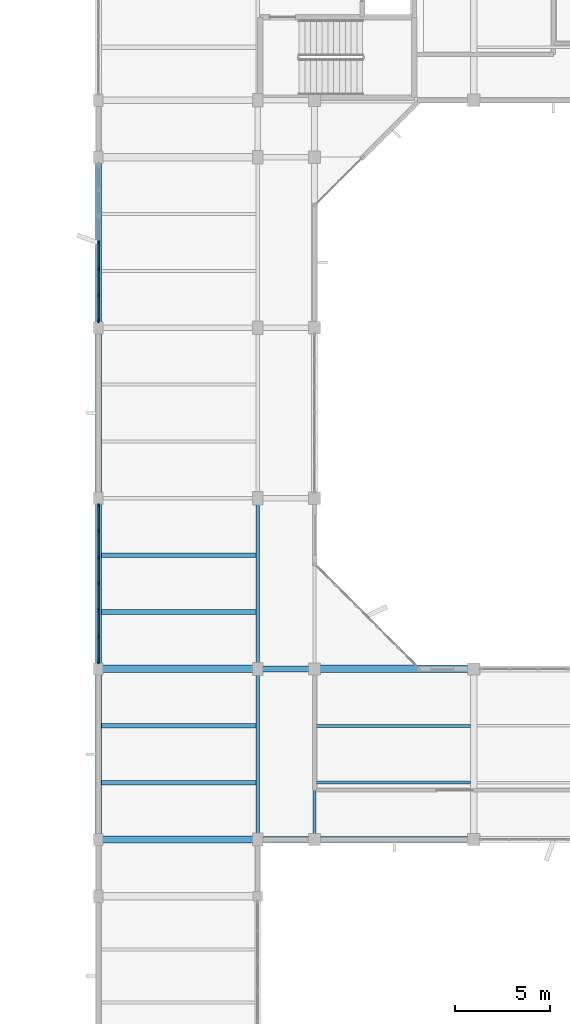
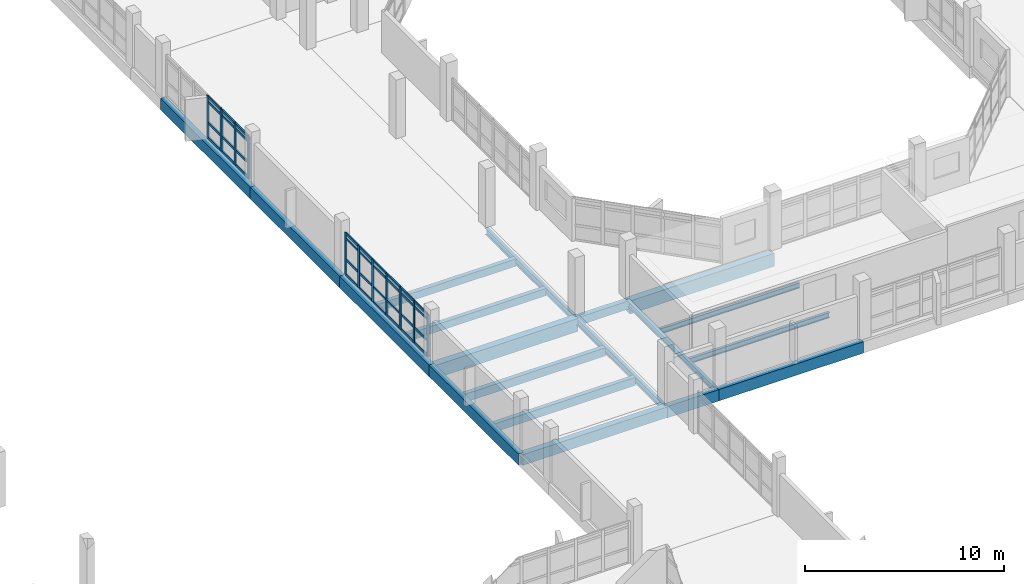
# One storey, part 11 of 104: 47 members, 19 beams, 2 elements without a shape of their own.
"""IFC4 building model written with IfcOpenShell, lengths in metres."""

from ifc_helpers import new_model, si_unit, direction, frame, origin, origin_2d, place, context, subcontext, project, spatial, rectangle, i_section, extrude, material, material_profile, profile_set, type_object, element, aggregate, save


model = new_model("IFC4")

# Units and contexts
model_context = context("Model", 3, precision=1e-05, world=origin(), true_north=direction((0.0, 1.0)))
body_context = subcontext(model_context, "Body", "Model", "MODEL_VIEW")
ifc_project = project(units=[si_unit("LENGTHUNIT", "METRE"), si_unit("AREAUNIT", "SQUARE_METRE"), si_unit("VOLUMEUNIT", "CUBIC_METRE"), si_unit("PLANEANGLEUNIT", "RADIAN"), si_unit("MASSUNIT", "GRAM", prefix="KILO")], contexts=[model_context])

# Site, building, storey
site_placement = place(None, origin())
site = spatial("IfcSite", under=ifc_project, at=site_placement, CompositionType="ELEMENT")
building_placement = place(site_placement, origin())
building = spatial("IfcBuilding", under=site, at=building_placement, Name="Vanh Quang Courtyard School", CompositionType="ELEMENT")
storey_placement = place(building_placement, frame((0.0, 0.0, 4.199951171875)))
storey = spatial("IfcBuildingStorey", under=building, at=storey_placement, Name="L01", CompositionType="ELEMENT", Elevation=4.199951171875)

# Beams
ifc_material_1 = material(Name="Concrete C35/45", Category="concrete")
ifc_material_profile_1 = material_profile(ifc_material_1, rectangle(XDim=0.300048828125, YDim=0.5, at=origin_2d()), Name="RC-BM 300x500")
ifc_profile_set_1 = profile_set([ifc_material_profile_1], Name="Concrete C35/45")
beam_type_1 = type_object("IfcBeamType", Name="BM-RC-300x500", PredefinedType="BEAM", material=ifc_profile_set_1)
beam_1_placement = place(storey_placement, frame((37.800048828125, 41.39990234375, -0.530029296875), z_axis=(1.0, 0.0, 0.0), x_axis=(0.0, 1.0, 0.0)))
element("IfcBeam", 1, at=beam_1_placement, inside=storey, type_object=beam_type_1, Name="Beam B-08 (L01)", PredefinedType="BEAM", context=body_context, shape_type="SweptSolid", body=[
    extrude(rectangle(XDim=0.300048828125, YDim=0.5, at=origin_2d()), origin(), (0.0, 0.0, 1.0), 3.0),
])
ifc_material_profile_2 = material_profile(ifc_material_1, rectangle(XDim=0.35009765625, YDim=0.64990234375, at=origin_2d()), Name="RC-BM 350x650")
ifc_profile_set_2 = profile_set([ifc_material_profile_2], Name="Concrete C35/45")
beam_type_2 = type_object("IfcBeamType", Name="BM-RC-350x650", PredefinedType="BEAM", material=ifc_profile_set_2)
beam_2_placement = place(storey_placement, frame((29.39990234375, 32.39990234375, -0.60498046875), z_axis=(1.0, 0.0, 0.0), x_axis=(0.0, 1.0, 0.0)))
element("IfcBeam", 2, at=beam_2_placement, inside=storey, type_object=beam_type_2, Name="Beam B-05 (L01)", PredefinedType="BEAM", context=body_context, shape_type="SweptSolid", body=[
    extrude(rectangle(XDim=0.35009765625, YDim=0.64990234375, at=origin_2d()), origin(), (0.0, 0.0, 1.0), 8.400146484375),
])
ifc_material_profile_3 = material_profile(ifc_material_1, rectangle(XDim=0.39990234375, YDim=0.800048828125, at=origin_2d()), Name="RC-BM 400x800")
ifc_profile_set_3 = profile_set([ifc_material_profile_3], Name="Concrete C35/45")
beam_type_3 = type_object("IfcBeamType", Name="BM-RC-400x800", PredefinedType="BEAM", material=ifc_profile_set_3)
beam_3_placement = place(storey_placement, frame((29.39990234375, 41.39990234375, -0.679931640625), z_axis=(1.0, 0.0, 0.0), x_axis=(0.0, 1.0, 0.0)))
element("IfcBeam", 3, at=beam_3_placement, inside=storey, type_object=beam_type_3, Name="Beam B-02 (L01)", PredefinedType="BEAM", context=body_context, shape_type="SweptSolid", body=[
    extrude(rectangle(XDim=0.39990234375, YDim=0.800048828125, at=origin_2d()), origin(), (0.0, 0.0, 1.0), 8.400146484375),
])
beam_4_placement = place(storey_placement, frame((40.800048828125, 41.39990234375, -0.679931640625), z_axis=(1.0, 0.0, 0.0), x_axis=(0.0, 1.0, 0.0)))
element("IfcBeam", 4, at=beam_4_placement, inside=storey, type_object=beam_type_3, Name="Beam B-02 (L01)", PredefinedType="BEAM", context=body_context, shape_type="SweptSolid", body=[
    extrude(rectangle(XDim=0.39990234375, YDim=0.800048828125, at=origin_2d()), origin(), (0.0, 0.0, 1.0), 8.39990234375),
])
ifc_material_profile_4 = material_profile(ifc_material_1, rectangle(XDim=0.300048828125, YDim=0.699951171875, at=origin_2d()), Name="RC-SP 300x700")
ifc_profile_set_4 = profile_set([ifc_material_profile_4], Name="Concrete C35/45")
beam_type_4 = type_object("IfcBeamType", Name="BM-SP-300x700", PredefinedType="SPANDREL", material=ifc_profile_set_4)
beam_5_placement = place(storey_placement, frame((37.800048828125, 32.39990234375, -0.6298828125), z_axis=(1.0, 0.0, 0.0), x_axis=(0.0, 1.0, 0.0)))
element("IfcBeam", 5, at=beam_5_placement, inside=storey, type_object=beam_type_4, Name="Beam BS-01 (L01)", PredefinedType="SPANDREL", context=body_context, shape_type="SweptSolid", body=[
    extrude(rectangle(XDim=0.300048828125, YDim=0.699951171875, at=origin_2d()), origin(), (0.0, 0.0, 1.0), 3.0),
])
beam_6_placement = place(storey_placement, frame((40.800048828125, 32.39990234375, -0.6298828125), z_axis=(1.0, 0.0, 0.0), x_axis=(0.0, 1.0, 0.0)))
element("IfcBeam", 6, at=beam_6_placement, inside=storey, type_object=beam_type_4, Name="Beam BS-01 (L01)", PredefinedType="SPANDREL", context=body_context, shape_type="SweptSolid", body=[
    extrude(rectangle(XDim=0.300048828125, YDim=0.699951171875, at=origin_2d()), origin(), (0.0, 0.0, 1.0), 8.39990234375),
])
for number, where, z_axis, x_axis, name in (
    (7, (29.39990234375, 32.39990234375, -0.6298828125), (0.0, 1.0, 0.0), (-1.0, 0.0, 0.0), "Beam BS-01 (L01)"),
    (8, (29.39990234375, 41.39990234375, -0.6298828125), (0.0, 1.0, 0.0), (-1.0, 0.0, 0.0), "Beam BS-01 (L01)"),
    (9, (29.39990234375, 50.39990234375, -0.6298828125), (0.0, 1.0, 0.0), (-1.0, 0.0, 0.0), "Beam BS-01 (L01)"),
    (10, (29.39990234375, 59.39990234375, -0.6298828125), (0.0, 1.0, 0.0), (-1.0, 0.0, 0.0), "Beam BS-01 (L01)"),
):
    element("IfcBeam", number, at=place(storey_placement, frame(where, z_axis=z_axis, x_axis=x_axis)), inside=storey, type_object=beam_type_4, Name=name, PredefinedType="SPANDREL", context=body_context, shape_type="SweptSolid", body=[
        extrude(rectangle(XDim=0.300048828125, YDim=0.699951171875, at=origin_2d()), origin(), (0.0, 0.0, 1.0), 9.0),
    ])
ifc_material_2 = material(Name="Structural steel EN 10025-2 S355J2", Category="steel")
ifc_material_profile_5 = material_profile(ifc_material_2, i_section(OverallWidth=0.169921875, OverallDepth=0.360107421875, WebThickness=0.008056640625, FlangeThickness=0.0126953125, FilletRadius=0.01806640625, at=origin_2d()), Name="IPE 360")
ifc_profile_set_5 = profile_set([ifc_material_profile_5], Name="Structural steel EN 10025-2 S355J2")
beam_type_5 = type_object("IfcBeamType", Name="BM-STL-IPE360", PredefinedType="BEAM", material=ifc_profile_set_5)
beam_7_placement = place(storey_placement, frame((40.800048828125, 32.39990234375, -0.4599609375), z_axis=(0.0, 1.0, 0.0), x_axis=(-1.0, 0.0, 0.0)))
element("IfcBeam", 11, at=beam_7_placement, inside=storey, type_object=beam_type_5, Name="Beam SB-06 (L01)", PredefinedType="BEAM", context=body_context, shape_type="SweptSolid", body=[
    extrude(i_section(OverallWidth=0.169921875, OverallDepth=0.360107421875, WebThickness=0.008056640625, FlangeThickness=0.0126953125, FilletRadius=0.01806640625, at=origin_2d()), origin(), (0.0, 0.0, 1.0), 9.0),
])
ifc_material_profile_6 = material_profile(ifc_material_2, i_section(OverallWidth=0.179931640625, OverallDepth=0.39990234375, WebThickness=0.008544921875, FlangeThickness=0.013427734375, FilletRadius=0.02099609375, at=origin_2d()), Name="IPE 400")
ifc_profile_set_6 = profile_set([ifc_material_profile_6], Name="Structural steel EN 10025-2 S355J2")
beam_type_6 = type_object("IfcBeamType", Name="BM-STL-IPE400", PredefinedType="BEAM", material=ifc_profile_set_6)
for number, where, z_axis, x_axis, name in (
    (12, (37.800048828125, 32.39990234375, -0.47998046875), (0.0, 1.0, 0.0), (-1.0, 0.0, 0.0), "Beam SB-05 (L01)"),
    (13, (37.800048828125, 41.39990234375, -0.47998046875), (0.0, 1.0, 0.0), (-1.0, 0.0, 0.0), "Beam SB-05 (L01)"),
):
    element("IfcBeam", number, at=place(storey_placement, frame(where, z_axis=z_axis, x_axis=x_axis)), inside=storey, type_object=beam_type_6, Name=name, PredefinedType="BEAM", context=body_context, shape_type="SweptSolid", body=[
        extrude(i_section(OverallWidth=0.179931640625, OverallDepth=0.39990234375, WebThickness=0.008544921875, FlangeThickness=0.013427734375, FilletRadius=0.02099609375, at=origin_2d()), origin(), (0.0, 0.0, 1.0), 9.0),
    ])

# Curtain wall, members
ifc_material_3 = material(Name="Thermally broken aluminium unitised curtain wall", Category="aluminium")
curtain_wall_type = type_object("IfcCurtainWallType", Name="CW-SYS-20", PredefinedType="NOTDEFINED", material=ifc_material_3)
curtain_wall_1_placement = place(storey_placement, origin())
curtain_wall_1 = element("IfcCurtainWall", 14, at=curtain_wall_1_placement, inside=storey, type_object=curtain_wall_type, Name="Curtain Wall CW-20 (L01)", PredefinedType="NOTDEFINED")
ifc_material_4 = material(Name="Anodised aluminium 6063-T6", Category="aluminium")
ifc_material_profile_7 = material_profile(ifc_material_4, rectangle(XDim=0.070068359375, YDim=0.179931640625, at=origin_2d()), Name="ALU-MUL 70x180")
ifc_profile_set_7 = profile_set([ifc_material_profile_7], Name="Anodised aluminium 6063-T6")
member_type_1 = type_object("IfcMemberType", Name="CW-MUL-70x180", PredefinedType="MULLION", material=ifc_profile_set_7)
member_1_placement = place(storey_placement, frame((29.39990234375, 41.76806640625, 0.0), z_axis=(0.0, 0.0, 1.0), x_axis=(-1.0, 0.0, 0.0)))
member_1 = element("IfcMember", 15, at=member_1_placement, type_object=member_type_1, Name="CW-20 mullion 1", PredefinedType="MULLION", context=body_context, shape_type="SweptSolid", body=[
    extrude(rectangle(XDim=0.070068359375, YDim=0.179931640625, at=origin_2d()), origin(), (0.0, 0.0, 1.0), 2.580078125),
])
member_2_placement = place(storey_placement, frame((29.39990234375, 43.1220703125, 0.0), z_axis=(0.0, 0.0, 1.0), x_axis=(-1.0, 0.0, 0.0)))
member_2 = element("IfcMember", 16, at=member_2_placement, type_object=member_type_1, Name="CW-20 mullion 2", PredefinedType="MULLION", context=body_context, shape_type="SweptSolid", body=[
    extrude(rectangle(XDim=0.070068359375, YDim=0.179931640625, at=origin_2d()), origin(), (0.0, 0.0, 1.0), 2.580078125),
])
member_3_placement = place(storey_placement, frame((29.39990234375, 44.510986328125, 0.0), z_axis=(0.0, 0.0, 1.0), x_axis=(-1.0, 0.0, 0.0)))
member_3 = element("IfcMember", 17, at=member_3_placement, type_object=member_type_1, Name="CW-20 mullion 3", PredefinedType="MULLION", context=body_context, shape_type="SweptSolid", body=[
    extrude(rectangle(XDim=0.070068359375, YDim=0.179931640625, at=origin_2d()), origin(), (0.0, 0.0, 1.0), 2.580078125),
])
member_4_placement = place(storey_placement, frame((29.39990234375, 45.89990234375, 0.0), z_axis=(0.0, 0.0, 1.0), x_axis=(-1.0, 0.0, 0.0)))
member_4 = element("IfcMember", 18, at=member_4_placement, type_object=member_type_1, Name="CW-20 mullion 4", PredefinedType="MULLION", context=body_context, shape_type="SweptSolid", body=[
    extrude(rectangle(XDim=0.070068359375, YDim=0.179931640625, at=origin_2d()), origin(), (0.0, 0.0, 1.0), 2.580078125),
])
member_5_placement = place(storey_placement, frame((29.39990234375, 47.2890625, 0.0), z_axis=(0.0, 0.0, 1.0), x_axis=(-1.0, 0.0, 0.0)))
member_5 = element("IfcMember", 19, at=member_5_placement, type_object=member_type_1, Name="CW-20 mullion 5", PredefinedType="MULLION", context=body_context, shape_type="SweptSolid", body=[
    extrude(rectangle(XDim=0.070068359375, YDim=0.179931640625, at=origin_2d()), origin(), (0.0, 0.0, 1.0), 2.580078125),
])
member_6_placement = place(storey_placement, frame((29.39990234375, 48.677978515625, 0.0), z_axis=(0.0, 0.0, 1.0), x_axis=(-1.0, 0.0, 0.0)))
member_6 = element("IfcMember", 20, at=member_6_placement, type_object=member_type_1, Name="CW-20 mullion 6", PredefinedType="MULLION", context=body_context, shape_type="SweptSolid", body=[
    extrude(rectangle(XDim=0.070068359375, YDim=0.179931640625, at=origin_2d()), origin(), (0.0, 0.0, 1.0), 2.580078125),
])
member_7_placement = place(storey_placement, frame((29.39990234375, 50.031982421875, 0.0), z_axis=(0.0, 0.0, 1.0), x_axis=(-1.0, 0.0, 0.0)))
member_7 = element("IfcMember", 21, at=member_7_placement, type_object=member_type_1, Name="CW-20 mullion 7", PredefinedType="MULLION", context=body_context, shape_type="SweptSolid", body=[
    extrude(rectangle(XDim=0.070068359375, YDim=0.179931640625, at=origin_2d()), origin(), (0.0, 0.0, 1.0), 2.580078125),
])

curtain_wall_2_placement = place(storey_placement, origin())
curtain_wall_2 = element("IfcCurtainWall", 22, at=curtain_wall_2_placement, inside=storey, type_object=curtain_wall_type, Name="Curtain Wall CW-20 (L01)", PredefinedType="NOTDEFINED")
ifc_material_profile_8 = material_profile(ifc_material_4, rectangle(XDim=0.080078125, YDim=0.199951171875, at=origin_2d()), Name="ALU-MUL 80x200")
ifc_profile_set_8 = profile_set([ifc_material_profile_8], Name="Anodised aluminium 6063-T6")
member_type_2 = type_object("IfcMemberType", Name="CW-MUL-80x200", PredefinedType="MULLION", material=ifc_profile_set_8)
member_8_placement = place(storey_placement, frame((29.39990234375, 59.77294921875, 0.0), z_axis=(0.0, 0.0, 1.0), x_axis=(-1.0, 0.0, 0.0)))
member_8 = element("IfcMember", 23, at=member_8_placement, type_object=member_type_2, Name="CW-20 mullion 1", PredefinedType="MULLION", context=body_context, shape_type="SweptSolid", body=[
    extrude(rectangle(XDim=0.080078125, YDim=0.199951171875, at=origin_2d()), origin(), (0.0, 0.0, 1.0), 2.580078125),
])
member_9_placement = place(storey_placement, frame((29.39990234375, 61.1220703125, 0.0), z_axis=(0.0, 0.0, 1.0), x_axis=(-1.0, 0.0, 0.0)))
member_9 = element("IfcMember", 24, at=member_9_placement, type_object=member_type_2, Name="CW-20 mullion 2", PredefinedType="MULLION", context=body_context, shape_type="SweptSolid", body=[
    extrude(rectangle(XDim=0.080078125, YDim=0.199951171875, at=origin_2d()), origin(), (0.0, 0.0, 1.0), 2.580078125),
])
member_10_placement = place(storey_placement, frame((29.39990234375, 62.510986328125, 0.0), z_axis=(0.0, 0.0, 1.0), x_axis=(-1.0, 0.0, 0.0)))
member_10 = element("IfcMember", 25, at=member_10_placement, type_object=member_type_2, Name="CW-20 mullion 3", PredefinedType="MULLION", context=body_context, shape_type="SweptSolid", body=[
    extrude(rectangle(XDim=0.080078125, YDim=0.199951171875, at=origin_2d()), origin(), (0.0, 0.0, 1.0), 2.580078125),
])
member_11_placement = place(storey_placement, frame((29.39990234375, 63.89990234375, 0.0), z_axis=(0.0, 0.0, 1.0), x_axis=(-1.0, 0.0, 0.0)))
member_11 = element("IfcMember", 26, at=member_11_placement, type_object=member_type_2, Name="CW-20 mullion 4", PredefinedType="MULLION", context=body_context, shape_type="SweptSolid", body=[
    extrude(rectangle(XDim=0.080078125, YDim=0.199951171875, at=origin_2d()), origin(), (0.0, 0.0, 1.0), 2.580078125),
])

# Member
ifc_material_profile_9 = material_profile(ifc_material_4, rectangle(XDim=0.070068359375, YDim=0.139892578125, at=origin_2d()), Name="ALU-TRN 70x140")
ifc_profile_set_9 = profile_set([ifc_material_profile_9], Name="Anodised aluminium 6063-T6")
member_type_3 = type_object("IfcMemberType", Name="CW-TRN-70x140", PredefinedType="USERDEFINED", material=ifc_profile_set_9)
member_12_placement = place(storey_placement, frame((29.39990234375, 41.802978515625, 0.03515625), z_axis=(0.0, 1.0, 0.0), x_axis=(-1.0, 0.0, 0.0)))
member_12 = element("IfcMember", 27, at=member_12_placement, type_object=member_type_3, Name="CW-20 transom 1.1", ObjectType="TRANSOM", PredefinedType="USERDEFINED", context=body_context, shape_type="SweptSolid", body=[
    extrude(rectangle(XDim=0.070068359375, YDim=0.139892578125, at=origin_2d()), origin(), (0.0, 0.0, 1.0), 1.283935546875),
])

member_13_placement = place(storey_placement, frame((29.39990234375, 41.802978515625, 0.949951171875), z_axis=(0.0, 1.0, 0.0), x_axis=(-1.0, 0.0, 0.0)))
member_13 = element("IfcMember", 28, at=member_13_placement, type_object=member_type_3, Name="CW-20 transom 1.2", ObjectType="TRANSOM", PredefinedType="USERDEFINED", context=body_context, shape_type="SweptSolid", body=[
    extrude(rectangle(XDim=0.070068359375, YDim=0.139892578125, at=origin_2d()), origin(), (0.0, 0.0, 1.0), 1.283935546875),
])

member_14_placement = place(storey_placement, frame((29.39990234375, 41.802978515625, 2.25), z_axis=(0.0, 1.0, 0.0), x_axis=(-1.0, 0.0, 0.0)))
member_14 = element("IfcMember", 29, at=member_14_placement, type_object=member_type_3, Name="CW-20 transom 1.3", ObjectType="TRANSOM", PredefinedType="USERDEFINED", context=body_context, shape_type="SweptSolid", body=[
    extrude(rectangle(XDim=0.070068359375, YDim=0.139892578125, at=origin_2d()), origin(), (0.0, 0.0, 1.0), 1.283935546875),
])

member_15_placement = place(storey_placement, frame((29.39990234375, 41.802978515625, 2.545166015625), z_axis=(0.0, 1.0, 0.0), x_axis=(-1.0, 0.0, 0.0)))
member_15 = element("IfcMember", 30, at=member_15_placement, type_object=member_type_3, Name="CW-20 transom 1.4", ObjectType="TRANSOM", PredefinedType="USERDEFINED", context=body_context, shape_type="SweptSolid", body=[
    extrude(rectangle(XDim=0.070068359375, YDim=0.139892578125, at=origin_2d()), origin(), (0.0, 0.0, 1.0), 1.283935546875),
])

member_16_placement = place(storey_placement, frame((29.39990234375, 43.156982421875, 0.03515625), z_axis=(0.0, 1.0, 0.0), x_axis=(-1.0, 0.0, 0.0)))
member_16 = element("IfcMember", 31, at=member_16_placement, type_object=member_type_3, Name="CW-20 transom 2.1", ObjectType="TRANSOM", PredefinedType="USERDEFINED", context=body_context, shape_type="SweptSolid", body=[
    extrude(rectangle(XDim=0.070068359375, YDim=0.139892578125, at=origin_2d()), origin(), (0.0, 0.0, 1.0), 1.319091796875),
])

member_17_placement = place(storey_placement, frame((29.39990234375, 43.156982421875, 0.949951171875), z_axis=(0.0, 1.0, 0.0), x_axis=(-1.0, 0.0, 0.0)))
member_17 = element("IfcMember", 32, at=member_17_placement, type_object=member_type_3, Name="CW-20 transom 2.2", ObjectType="TRANSOM", PredefinedType="USERDEFINED", context=body_context, shape_type="SweptSolid", body=[
    extrude(rectangle(XDim=0.070068359375, YDim=0.139892578125, at=origin_2d()), origin(), (0.0, 0.0, 1.0), 1.319091796875),
])

member_18_placement = place(storey_placement, frame((29.39990234375, 43.156982421875, 2.25), z_axis=(0.0, 1.0, 0.0), x_axis=(-1.0, 0.0, 0.0)))
member_18 = element("IfcMember", 33, at=member_18_placement, type_object=member_type_3, Name="CW-20 transom 2.3", ObjectType="TRANSOM", PredefinedType="USERDEFINED", context=body_context, shape_type="SweptSolid", body=[
    extrude(rectangle(XDim=0.070068359375, YDim=0.139892578125, at=origin_2d()), origin(), (0.0, 0.0, 1.0), 1.319091796875),
])

member_19_placement = place(storey_placement, frame((29.39990234375, 43.156982421875, 2.545166015625), z_axis=(0.0, 1.0, 0.0), x_axis=(-1.0, 0.0, 0.0)))
member_19 = element("IfcMember", 34, at=member_19_placement, type_object=member_type_3, Name="CW-20 transom 2.4", ObjectType="TRANSOM", PredefinedType="USERDEFINED", context=body_context, shape_type="SweptSolid", body=[
    extrude(rectangle(XDim=0.070068359375, YDim=0.139892578125, at=origin_2d()), origin(), (0.0, 0.0, 1.0), 1.319091796875),
])

member_20_placement = place(storey_placement, frame((29.39990234375, 44.5458984375, 0.03515625), z_axis=(0.0, 1.0, 0.0), x_axis=(-1.0, 0.0, 0.0)))
member_20 = element("IfcMember", 35, at=member_20_placement, type_object=member_type_3, Name="CW-20 transom 3.1", ObjectType="TRANSOM", PredefinedType="USERDEFINED", context=body_context, shape_type="SweptSolid", body=[
    extrude(rectangle(XDim=0.070068359375, YDim=0.139892578125, at=origin_2d()), origin(), (0.0, 0.0, 1.0), 1.319091796875),
])

member_21_placement = place(storey_placement, frame((29.39990234375, 44.5458984375, 0.949951171875), z_axis=(0.0, 1.0, 0.0), x_axis=(-1.0, 0.0, 0.0)))
member_21 = element("IfcMember", 36, at=member_21_placement, type_object=member_type_3, Name="CW-20 transom 3.2", ObjectType="TRANSOM", PredefinedType="USERDEFINED", context=body_context, shape_type="SweptSolid", body=[
    extrude(rectangle(XDim=0.070068359375, YDim=0.139892578125, at=origin_2d()), origin(), (0.0, 0.0, 1.0), 1.319091796875),
])

member_22_placement = place(storey_placement, frame((29.39990234375, 44.5458984375, 2.25), z_axis=(0.0, 1.0, 0.0), x_axis=(-1.0, 0.0, 0.0)))
member_22 = element("IfcMember", 37, at=member_22_placement, type_object=member_type_3, Name="CW-20 transom 3.3", ObjectType="TRANSOM", PredefinedType="USERDEFINED", context=body_context, shape_type="SweptSolid", body=[
    extrude(rectangle(XDim=0.070068359375, YDim=0.139892578125, at=origin_2d()), origin(), (0.0, 0.0, 1.0), 1.319091796875),
])

member_23_placement = place(storey_placement, frame((29.39990234375, 44.5458984375, 2.545166015625), z_axis=(0.0, 1.0, 0.0), x_axis=(-1.0, 0.0, 0.0)))
member_23 = element("IfcMember", 38, at=member_23_placement, type_object=member_type_3, Name="CW-20 transom 3.4", ObjectType="TRANSOM", PredefinedType="USERDEFINED", context=body_context, shape_type="SweptSolid", body=[
    extrude(rectangle(XDim=0.070068359375, YDim=0.139892578125, at=origin_2d()), origin(), (0.0, 0.0, 1.0), 1.319091796875),
])

member_24_placement = place(storey_placement, frame((29.39990234375, 45.93505859375, 0.03515625), z_axis=(0.0, 1.0, 0.0), x_axis=(-1.0, 0.0, 0.0)))
member_24 = element("IfcMember", 39, at=member_24_placement, type_object=member_type_3, Name="CW-20 transom 4.1", ObjectType="TRANSOM", PredefinedType="USERDEFINED", context=body_context, shape_type="SweptSolid", body=[
    extrude(rectangle(XDim=0.070068359375, YDim=0.139892578125, at=origin_2d()), origin(), (0.0, 0.0, 1.0), 1.31884765625),
])

member_25_placement = place(storey_placement, frame((29.39990234375, 45.93505859375, 0.949951171875), z_axis=(0.0, 1.0, 0.0), x_axis=(-1.0, 0.0, 0.0)))
member_25 = element("IfcMember", 40, at=member_25_placement, type_object=member_type_3, Name="CW-20 transom 4.2", ObjectType="TRANSOM", PredefinedType="USERDEFINED", context=body_context, shape_type="SweptSolid", body=[
    extrude(rectangle(XDim=0.070068359375, YDim=0.139892578125, at=origin_2d()), origin(), (0.0, 0.0, 1.0), 1.31884765625),
])

member_26_placement = place(storey_placement, frame((29.39990234375, 45.93505859375, 2.25), z_axis=(0.0, 1.0, 0.0), x_axis=(-1.0, 0.0, 0.0)))
member_26 = element("IfcMember", 41, at=member_26_placement, type_object=member_type_3, Name="CW-20 transom 4.3", ObjectType="TRANSOM", PredefinedType="USERDEFINED", context=body_context, shape_type="SweptSolid", body=[
    extrude(rectangle(XDim=0.070068359375, YDim=0.139892578125, at=origin_2d()), origin(), (0.0, 0.0, 1.0), 1.31884765625),
])

member_27_placement = place(storey_placement, frame((29.39990234375, 45.93505859375, 2.545166015625), z_axis=(0.0, 1.0, 0.0), x_axis=(-1.0, 0.0, 0.0)))
member_27 = element("IfcMember", 42, at=member_27_placement, type_object=member_type_3, Name="CW-20 transom 4.4", ObjectType="TRANSOM", PredefinedType="USERDEFINED", context=body_context, shape_type="SweptSolid", body=[
    extrude(rectangle(XDim=0.070068359375, YDim=0.139892578125, at=origin_2d()), origin(), (0.0, 0.0, 1.0), 1.31884765625),
])

member_28_placement = place(storey_placement, frame((29.39990234375, 47.323974609375, 0.03515625), z_axis=(0.0, 1.0, 0.0), x_axis=(-1.0, 0.0, 0.0)))
member_28 = element("IfcMember", 43, at=member_28_placement, type_object=member_type_3, Name="CW-20 transom 5.1", ObjectType="TRANSOM", PredefinedType="USERDEFINED", context=body_context, shape_type="SweptSolid", body=[
    extrude(rectangle(XDim=0.070068359375, YDim=0.139892578125, at=origin_2d()), origin(), (0.0, 0.0, 1.0), 1.319091796875),
])

member_29_placement = place(storey_placement, frame((29.39990234375, 47.323974609375, 0.949951171875), z_axis=(0.0, 1.0, 0.0), x_axis=(-1.0, 0.0, 0.0)))
member_29 = element("IfcMember", 44, at=member_29_placement, type_object=member_type_3, Name="CW-20 transom 5.2", ObjectType="TRANSOM", PredefinedType="USERDEFINED", context=body_context, shape_type="SweptSolid", body=[
    extrude(rectangle(XDim=0.070068359375, YDim=0.139892578125, at=origin_2d()), origin(), (0.0, 0.0, 1.0), 1.319091796875),
])

member_30_placement = place(storey_placement, frame((29.39990234375, 47.323974609375, 2.25), z_axis=(0.0, 1.0, 0.0), x_axis=(-1.0, 0.0, 0.0)))
member_30 = element("IfcMember", 45, at=member_30_placement, type_object=member_type_3, Name="CW-20 transom 5.3", ObjectType="TRANSOM", PredefinedType="USERDEFINED", context=body_context, shape_type="SweptSolid", body=[
    extrude(rectangle(XDim=0.070068359375, YDim=0.139892578125, at=origin_2d()), origin(), (0.0, 0.0, 1.0), 1.319091796875),
])

member_31_placement = place(storey_placement, frame((29.39990234375, 47.323974609375, 2.545166015625), z_axis=(0.0, 1.0, 0.0), x_axis=(-1.0, 0.0, 0.0)))
member_31 = element("IfcMember", 46, at=member_31_placement, type_object=member_type_3, Name="CW-20 transom 5.4", ObjectType="TRANSOM", PredefinedType="USERDEFINED", context=body_context, shape_type="SweptSolid", body=[
    extrude(rectangle(XDim=0.070068359375, YDim=0.139892578125, at=origin_2d()), origin(), (0.0, 0.0, 1.0), 1.319091796875),
])

member_32_placement = place(storey_placement, frame((29.39990234375, 48.712890625, 0.03515625), z_axis=(0.0, 1.0, 0.0), x_axis=(-1.0, 0.0, 0.0)))
member_32 = element("IfcMember", 47, at=member_32_placement, type_object=member_type_3, Name="CW-20 transom 6.1", ObjectType="TRANSOM", PredefinedType="USERDEFINED", context=body_context, shape_type="SweptSolid", body=[
    extrude(rectangle(XDim=0.070068359375, YDim=0.139892578125, at=origin_2d()), origin(), (0.0, 0.0, 1.0), 1.2841796875),
])

member_33_placement = place(storey_placement, frame((29.39990234375, 48.712890625, 0.949951171875), z_axis=(0.0, 1.0, 0.0), x_axis=(-1.0, 0.0, 0.0)))
member_33 = element("IfcMember", 48, at=member_33_placement, type_object=member_type_3, Name="CW-20 transom 6.2", ObjectType="TRANSOM", PredefinedType="USERDEFINED", context=body_context, shape_type="SweptSolid", body=[
    extrude(rectangle(XDim=0.070068359375, YDim=0.139892578125, at=origin_2d()), origin(), (0.0, 0.0, 1.0), 1.2841796875),
])

member_34_placement = place(storey_placement, frame((29.39990234375, 48.712890625, 2.25), z_axis=(0.0, 1.0, 0.0), x_axis=(-1.0, 0.0, 0.0)))
member_34 = element("IfcMember", 49, at=member_34_placement, type_object=member_type_3, Name="CW-20 transom 6.3", ObjectType="TRANSOM", PredefinedType="USERDEFINED", context=body_context, shape_type="SweptSolid", body=[
    extrude(rectangle(XDim=0.070068359375, YDim=0.139892578125, at=origin_2d()), origin(), (0.0, 0.0, 1.0), 1.2841796875),
])

member_35_placement = place(storey_placement, frame((29.39990234375, 48.712890625, 2.545166015625), z_axis=(0.0, 1.0, 0.0), x_axis=(-1.0, 0.0, 0.0)))
member_35 = element("IfcMember", 50, at=member_35_placement, type_object=member_type_3, Name="CW-20 transom 6.4", ObjectType="TRANSOM", PredefinedType="USERDEFINED", context=body_context, shape_type="SweptSolid", body=[
    extrude(rectangle(XDim=0.070068359375, YDim=0.139892578125, at=origin_2d()), origin(), (0.0, 0.0, 1.0), 1.2841796875),
])

aggregate(curtain_wall_1, [member_1, member_2, member_3, member_4, member_5, member_6, member_7, member_12, member_13, member_14, member_15, member_16, member_17, member_18, member_19, member_20, member_21, member_22, member_23, member_24, member_25, member_26, member_27, member_28, member_29, member_30, member_31, member_32, member_33, member_34, member_35])

ifc_material_profile_10 = material_profile(ifc_material_4, rectangle(XDim=0.080078125, YDim=0.14990234375, at=origin_2d()), Name="ALU-TRN 80x150")
ifc_profile_set_10 = profile_set([ifc_material_profile_10], Name="Anodised aluminium 6063-T6")
member_type_4 = type_object("IfcMemberType", Name="CW-TRN-80x150", PredefinedType="USERDEFINED", material=ifc_profile_set_10)
member_36_placement = place(storey_placement, frame((29.39990234375, 59.81298828125, 0.0400390625), z_axis=(0.0, 1.0, 0.0), x_axis=(-1.0, 0.0, 0.0)))
member_36 = element("IfcMember", 51, at=member_36_placement, type_object=member_type_4, Name="CW-20 transom 1.1", ObjectType="TRANSOM", PredefinedType="USERDEFINED", context=body_context, shape_type="SweptSolid", body=[
    extrude(rectangle(XDim=0.080078125, YDim=0.14990234375, at=origin_2d()), origin(), (0.0, 0.0, 1.0), 1.26904296875),
])

member_37_placement = place(storey_placement, frame((29.39990234375, 59.81298828125, 0.949951171875), z_axis=(0.0, 1.0, 0.0), x_axis=(-1.0, 0.0, 0.0)))
member_37 = element("IfcMember", 52, at=member_37_placement, type_object=member_type_4, Name="CW-20 transom 1.2", ObjectType="TRANSOM", PredefinedType="USERDEFINED", context=body_context, shape_type="SweptSolid", body=[
    extrude(rectangle(XDim=0.080078125, YDim=0.14990234375, at=origin_2d()), origin(), (0.0, 0.0, 1.0), 1.26904296875),
])

member_38_placement = place(storey_placement, frame((29.39990234375, 59.81298828125, 2.25), z_axis=(0.0, 1.0, 0.0), x_axis=(-1.0, 0.0, 0.0)))
member_38 = element("IfcMember", 53, at=member_38_placement, type_object=member_type_4, Name="CW-20 transom 1.3", ObjectType="TRANSOM", PredefinedType="USERDEFINED", context=body_context, shape_type="SweptSolid", body=[
    extrude(rectangle(XDim=0.080078125, YDim=0.14990234375, at=origin_2d()), origin(), (0.0, 0.0, 1.0), 1.26904296875),
])

member_39_placement = place(storey_placement, frame((29.39990234375, 59.81298828125, 2.5400390625), z_axis=(0.0, 1.0, 0.0), x_axis=(-1.0, 0.0, 0.0)))
member_39 = element("IfcMember", 54, at=member_39_placement, type_object=member_type_4, Name="CW-20 transom 1.4", ObjectType="TRANSOM", PredefinedType="USERDEFINED", context=body_context, shape_type="SweptSolid", body=[
    extrude(rectangle(XDim=0.080078125, YDim=0.14990234375, at=origin_2d()), origin(), (0.0, 0.0, 1.0), 1.26904296875),
])

member_40_placement = place(storey_placement, frame((29.39990234375, 61.162109375, 0.0400390625), z_axis=(0.0, 1.0, 0.0), x_axis=(-1.0, 0.0, 0.0)))
member_40 = element("IfcMember", 55, at=member_40_placement, type_object=member_type_4, Name="CW-20 transom 2.1", ObjectType="TRANSOM", PredefinedType="USERDEFINED", context=body_context, shape_type="SweptSolid", body=[
    extrude(rectangle(XDim=0.080078125, YDim=0.14990234375, at=origin_2d()), origin(), (0.0, 0.0, 1.0), 1.308837890625),
])

member_41_placement = place(storey_placement, frame((29.39990234375, 61.162109375, 0.949951171875), z_axis=(0.0, 1.0, 0.0), x_axis=(-1.0, 0.0, 0.0)))
member_41 = element("IfcMember", 56, at=member_41_placement, type_object=member_type_4, Name="CW-20 transom 2.2", ObjectType="TRANSOM", PredefinedType="USERDEFINED", context=body_context, shape_type="SweptSolid", body=[
    extrude(rectangle(XDim=0.080078125, YDim=0.14990234375, at=origin_2d()), origin(), (0.0, 0.0, 1.0), 1.308837890625),
])

member_42_placement = place(storey_placement, frame((29.39990234375, 61.162109375, 2.25), z_axis=(0.0, 1.0, 0.0), x_axis=(-1.0, 0.0, 0.0)))
member_42 = element("IfcMember", 57, at=member_42_placement, type_object=member_type_4, Name="CW-20 transom 2.3", ObjectType="TRANSOM", PredefinedType="USERDEFINED", context=body_context, shape_type="SweptSolid", body=[
    extrude(rectangle(XDim=0.080078125, YDim=0.14990234375, at=origin_2d()), origin(), (0.0, 0.0, 1.0), 1.308837890625),
])

member_43_placement = place(storey_placement, frame((29.39990234375, 61.162109375, 2.5400390625), z_axis=(0.0, 1.0, 0.0), x_axis=(-1.0, 0.0, 0.0)))
member_43 = element("IfcMember", 58, at=member_43_placement, type_object=member_type_4, Name="CW-20 transom 2.4", ObjectType="TRANSOM", PredefinedType="USERDEFINED", context=body_context, shape_type="SweptSolid", body=[
    extrude(rectangle(XDim=0.080078125, YDim=0.14990234375, at=origin_2d()), origin(), (0.0, 0.0, 1.0), 1.308837890625),
])

member_44_placement = place(storey_placement, frame((29.39990234375, 62.551025390625, 0.0400390625), z_axis=(0.0, 1.0, 0.0), x_axis=(-1.0, 0.0, 0.0)))
member_44 = element("IfcMember", 59, at=member_44_placement, type_object=member_type_4, Name="CW-20 transom 3.1", ObjectType="TRANSOM", PredefinedType="USERDEFINED", context=body_context, shape_type="SweptSolid", body=[
    extrude(rectangle(XDim=0.080078125, YDim=0.14990234375, at=origin_2d()), origin(), (0.0, 0.0, 1.0), 1.30908203125),
])

member_45_placement = place(storey_placement, frame((29.39990234375, 62.551025390625, 0.949951171875), z_axis=(0.0, 1.0, 0.0), x_axis=(-1.0, 0.0, 0.0)))
member_45 = element("IfcMember", 60, at=member_45_placement, type_object=member_type_4, Name="CW-20 transom 3.2", ObjectType="TRANSOM", PredefinedType="USERDEFINED", context=body_context, shape_type="SweptSolid", body=[
    extrude(rectangle(XDim=0.080078125, YDim=0.14990234375, at=origin_2d()), origin(), (0.0, 0.0, 1.0), 1.30908203125),
])

member_46_placement = place(storey_placement, frame((29.39990234375, 62.551025390625, 2.25), z_axis=(0.0, 1.0, 0.0), x_axis=(-1.0, 0.0, 0.0)))
member_46 = element("IfcMember", 61, at=member_46_placement, type_object=member_type_4, Name="CW-20 transom 3.3", ObjectType="TRANSOM", PredefinedType="USERDEFINED", context=body_context, shape_type="SweptSolid", body=[
    extrude(rectangle(XDim=0.080078125, YDim=0.14990234375, at=origin_2d()), origin(), (0.0, 0.0, 1.0), 1.30908203125),
])

member_47_placement = place(storey_placement, frame((29.39990234375, 62.551025390625, 2.5400390625), z_axis=(0.0, 1.0, 0.0), x_axis=(-1.0, 0.0, 0.0)))
member_47 = element("IfcMember", 62, at=member_47_placement, type_object=member_type_4, Name="CW-20 transom 3.4", ObjectType="TRANSOM", PredefinedType="USERDEFINED", context=body_context, shape_type="SweptSolid", body=[
    extrude(rectangle(XDim=0.080078125, YDim=0.14990234375, at=origin_2d()), origin(), (0.0, 0.0, 1.0), 1.30908203125),
])

aggregate(curtain_wall_2, [member_8, member_9, member_10, member_11, member_36, member_37, member_38, member_39, member_40, member_41, member_42, member_43, member_44, member_45, member_46, member_47])

# Beams
ifc_material_5 = material(Name="Concrete C30/37", Category="concrete")
ifc_material_profile_11 = material_profile(ifc_material_5, rectangle(XDim=0.25, YDim=0.449951171875, at=origin_2d()), Name="RC-JST 250x450")
ifc_profile_set_11 = profile_set([ifc_material_profile_11], Name="Concrete C30/37")
beam_type_7 = type_object("IfcBeamType", Name="JST-RC-250x450", PredefinedType="JOIST", material=ifc_profile_set_11)
for number, where, z_axis, x_axis, name in (
    (63, (29.550048828125, 44.39990234375, -0.5048828125), (1.0, 0.0, 0.0), (0.0, 1.0, 0.0), "Beam BJ-02 (L01)"),
    (64, (29.550048828125, 47.39990234375, -0.5048828125), (1.0, 0.0, 0.0), (0.0, 1.0, 0.0), "Beam BJ-02 (L01)"),
):
    element("IfcBeam", number, at=place(storey_placement, frame(where, z_axis=z_axis, x_axis=x_axis)), inside=storey, type_object=beam_type_7, Name=name, PredefinedType="JOIST", context=body_context, shape_type="SweptSolid", body=[
        extrude(rectangle(XDim=0.25, YDim=0.449951171875, at=origin_2d()), origin(), (0.0, 0.0, 1.0), 8.159912109375),
    ])
ifc_material_profile_12 = material_profile(ifc_material_5, rectangle(XDim=0.25, YDim=0.5, at=origin_2d()), Name="RC-JST 250x500")
ifc_profile_set_12 = profile_set([ifc_material_profile_12], Name="Concrete C30/37")
beam_type_8 = type_object("IfcBeamType", Name="JST-RC-250x500", PredefinedType="JOIST", material=ifc_profile_set_12)
for number, where, z_axis, x_axis, name in (
    (65, (29.550048828125, 35.39990234375, -0.530029296875), (1.0, 0.0, 0.0), (0.0, 1.0, 0.0), "Beam BJ-01 (L01)"),
    (66, (29.550048828125, 38.39990234375, -0.530029296875), (1.0, 0.0, 0.0), (0.0, 1.0, 0.0), "Beam BJ-01 (L01)"),
):
    element("IfcBeam", number, at=place(storey_placement, frame(where, z_axis=z_axis, x_axis=x_axis)), inside=storey, type_object=beam_type_8, Name=name, PredefinedType="JOIST", context=body_context, shape_type="SweptSolid", body=[
        extrude(rectangle(XDim=0.25, YDim=0.5, at=origin_2d()), origin(), (0.0, 0.0, 1.0), 8.159912109375),
    ])
ifc_material_profile_13 = material_profile(ifc_material_2, i_section(OverallWidth=0.159912109375, OverallDepth=0.330078125, WebThickness=0.007568359375, FlangeThickness=0.011474609375, FilletRadius=0.01806640625, at=origin_2d()), Name="IPE 330")
ifc_profile_set_13 = profile_set([ifc_material_profile_13], Name="Structural steel EN 10025-2 S355J2")
beam_type_9 = type_object("IfcBeamType", Name="JST-STL-IPE330", PredefinedType="JOIST", material=ifc_profile_set_13)
for number, where, z_axis, x_axis, name in (
    (67, (40.885009765625, 35.39990234375, -0.445068359375), (1.0, 0.0, 0.0), (0.0, 1.0, 0.0), "Beam SJ-01 (L01)"),
    (68, (40.885009765625, 38.39990234375, -0.445068359375), (1.0, 0.0, 0.0), (0.0, 1.0, 0.0), "Beam SJ-01 (L01)"),
):
    element("IfcBeam", number, at=place(storey_placement, frame(where, z_axis=z_axis, x_axis=x_axis)), inside=storey, type_object=beam_type_9, Name=name, PredefinedType="JOIST", context=body_context, shape_type="SweptSolid", body=[
        extrude(i_section(OverallWidth=0.159912109375, OverallDepth=0.330078125, WebThickness=0.007568359375, FlangeThickness=0.011474609375, FilletRadius=0.01806640625, at=origin_2d()), origin(), (0.0, 0.0, 1.0), 8.139892578125),
    ])

save(model, "model.ifc")
